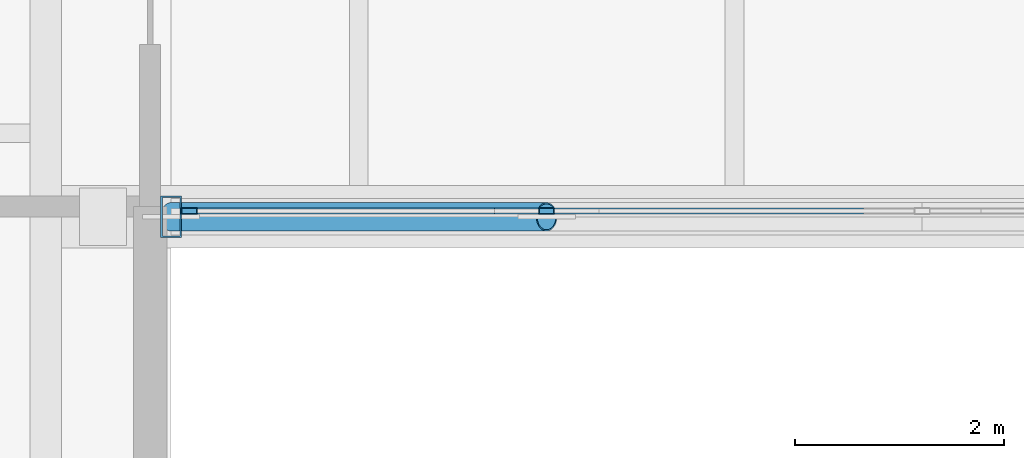
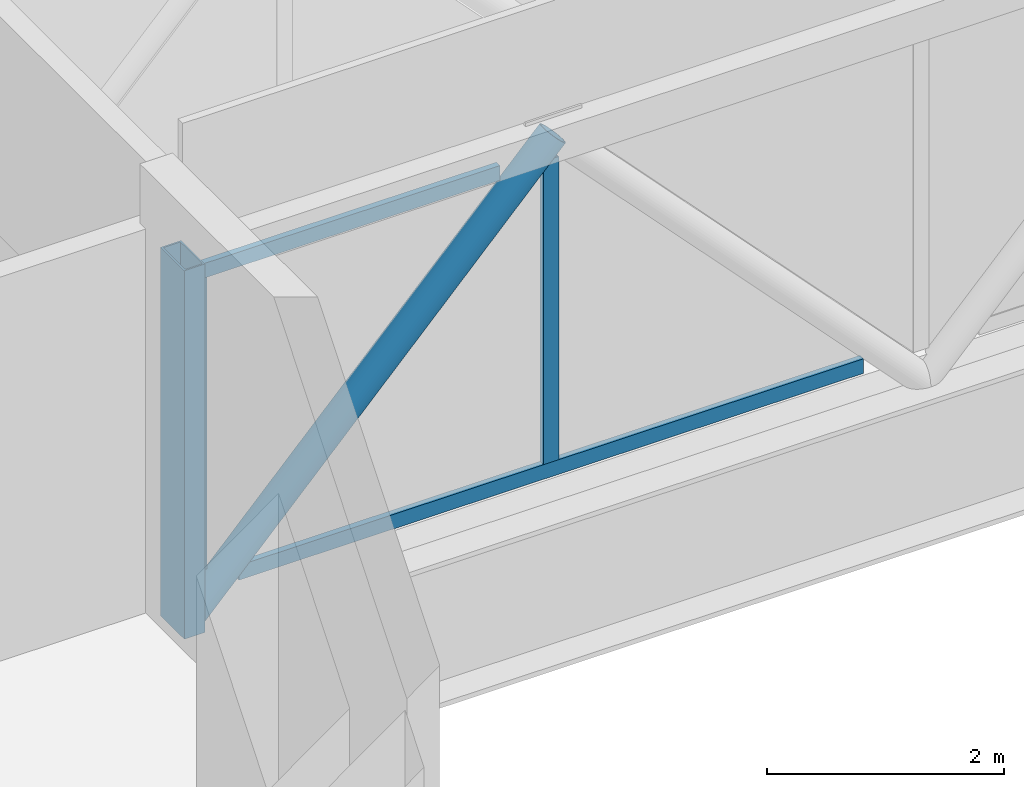
# One storey, part 2 of 17: 6 members, 2 elements without a shape of their own.
"""IFC4 building model written with IfcOpenShell, lengths in metres."""

from ifc_helpers import new_model, si_unit, direction, frame, origin, origin_2d, place, context, subcontext, project, spatial, hollow_rectangle, hollow_circle, extrude, material, material_profile, profile_set, type_object, element, aggregate, save


model = new_model("IFC4")

# Units and contexts
model_context = context("Model", 3, precision=1e-05, world=origin(), true_north=direction((0.0, 1.0)))
body_context = subcontext(model_context, "Body", "Model", "MODEL_VIEW")
ifc_project = project(units=[si_unit("LENGTHUNIT", "METRE"), si_unit("AREAUNIT", "SQUARE_METRE"), si_unit("VOLUMEUNIT", "CUBIC_METRE"), si_unit("PLANEANGLEUNIT", "RADIAN"), si_unit("MASSUNIT", "GRAM", prefix="KILO")], contexts=[model_context])

# Site, building, storey
site_placement = place(None, origin())
site = spatial("IfcSite", under=ifc_project, at=site_placement, CompositionType="ELEMENT")
building_placement = place(site_placement, origin())
building = spatial("IfcBuilding", under=site, at=building_placement, Name="Kuzgunbayir Cultural Tower", CompositionType="ELEMENT")
storey_placement = place(building_placement, frame((0.0, 0.0, 102.60009765625)))
storey = spatial("IfcBuildingStorey", under=building, at=storey_placement, Name="L29", CompositionType="ELEMENT", Elevation=102.60009765625)

# Curtain wall, member
ifc_material_1 = material(Name="Anodised Aluminium Framing", Category="aluminium")
curtain_wall_type = type_object("IfcCurtainWallType", Name="CW05-SKYBRIDGE", PredefinedType="NOTDEFINED", material=ifc_material_1)
curtain_wall_1_placement = place(storey_placement, origin())
curtain_wall_1 = element("IfcCurtainWall", 1, at=curtain_wall_1_placement, inside=storey, type_object=curtain_wall_type, Name="L29 Skybridge South Curtain Wall Run 1 Fitted Between Truss Members", PredefinedType="NOTDEFINED")
ifc_material_profile_1 = material_profile(ifc_material_1, hollow_rectangle(XDim=0.06005859375, YDim=0.14990234375, WallThickness=0.00390625, at=origin_2d()), Name="RHS 150x60x4")
ifc_profile_set_1 = profile_set([ifc_material_profile_1], Name="Anodised Aluminium Framing")
member_type_1 = type_object("IfcMemberType", Name="MEM-CW-MULLION-150", PredefinedType="MULLION", material=ifc_profile_set_1)
member_1_placement = place(storey_placement, frame((46.97509765625, 31.2548828125, 0.225830078125), z_axis=(0.0, 0.0, 1.0), x_axis=(0.0, 1.0, 0.0)))
member_1 = element("IfcMember", 2, at=member_1_placement, type_object=member_type_1, Name="CW05 mullion 1.1", PredefinedType="MULLION", context=body_context, shape_type="SweptSolid", body=[
    extrude(hollow_rectangle(XDim=0.06005859375, YDim=0.14990234375, WallThickness=0.00390625, at=origin_2d()), origin(), (0.0, 0.0, 1.0), 2.9990234375),
])

curtain_wall_2_placement = place(storey_placement, origin())
curtain_wall_2 = element("IfcCurtainWall", 3, at=curtain_wall_2_placement, inside=storey, type_object=curtain_wall_type, Name="L29 Skybridge South Curtain Wall Run 2 Fitted Between Truss Members", PredefinedType="NOTDEFINED")
member_2_placement = place(storey_placement, frame((50.39990234375, 31.2548828125, 0.14990234375), z_axis=(0.0, 0.0, 1.0), x_axis=(0.0, 1.0, 0.0)))
member_2 = element("IfcMember", 4, at=member_2_placement, type_object=member_type_1, Name="CW05 mullion 2.1", PredefinedType="MULLION", context=body_context, shape_type="SweptSolid", body=[
    extrude(hollow_rectangle(XDim=0.06005859375, YDim=0.14990234375, WallThickness=0.00390625, at=origin_2d()), origin(), (0.0, 0.0, 1.0), 3.117919921875),
])

# Member
ifc_material_profile_2 = material_profile(ifc_material_1, hollow_rectangle(XDim=0.06005859375, YDim=0.14990234375, WallThickness=0.00390625, at=origin_2d()), Name="RHS 150x60x4")
ifc_profile_set_2 = profile_set([ifc_material_profile_2], Name="Anodised Aluminium Framing")
member_type_2 = type_object("IfcMemberType", Name="MEM-CW-TRANSOM-150", PredefinedType="USERDEFINED", material=ifc_profile_set_2)
member_3_placement = place(storey_placement, frame((46.89990234375, 31.2548828125, 3.2998046875), z_axis=(1.0, 0.0, 0.0), x_axis=(0.0, 1.0, 0.0)))
member_3 = element("IfcMember", 5, at=member_3_placement, type_object=member_type_2, Name="CW05 transom 1.1", ObjectType="TRANSOM", PredefinedType="USERDEFINED", context=body_context, shape_type="SweptSolid", body=[
    extrude(hollow_rectangle(XDim=0.06005859375, YDim=0.14990234375, WallThickness=0.00390625, at=origin_2d()), origin(), (0.0, 0.0, 1.0), 2.9990234375),
])

aggregate(curtain_wall_1, [member_1, member_3])

member_4_placement = place(storey_placement, frame((47.363037109375, 31.2548828125, 0.074951171875), z_axis=(1.0, 0.0, 0.0), x_axis=(0.0, 1.0, 0.0)))
member_4 = element("IfcMember", 6, at=member_4_placement, type_object=member_type_2, Name="CW05 transom 2.1", ObjectType="TRANSOM", PredefinedType="USERDEFINED", context=body_context, shape_type="SweptSolid", body=[
    extrude(hollow_rectangle(XDim=0.06005859375, YDim=0.14990234375, WallThickness=0.00390625, at=origin_2d()), origin(), (0.0, 0.0, 1.0), 6.073974609375),
])

aggregate(curtain_wall_2, [member_2, member_4])

# Members
ifc_material_2 = material(Name="Steel S460M", Category="steel")
ifc_material_profile_3 = material_profile(ifc_material_2, hollow_circle(Radius=0.136474609375, WallThickness=0.012451171875, at=origin_2d()), Name="CHS 273x12.5")
ifc_profile_set_3 = profile_set([ifc_material_profile_3], Name="Steel S460M")
member_type_3 = type_object("IfcMemberType", Name="MEM-SBG-CHS273", PredefinedType="BRACE", material=ifc_profile_set_3)
member_5_placement = place(storey_placement, frame((46.800048828125, 31.199951171875, -0.239990234375), z_axis=(0.68870404184, 0.0, 0.725042579958), x_axis=(0.0, 1.0, 0.0)))
element("IfcMember", 7, at=member_5_placement, inside=storey, type_object=member_type_3, Name="L29 Skybridge Truss Diagonal S1", PredefinedType="BRACE", context=body_context, shape_type="SweptSolid", body=[
    extrude(hollow_circle(Radius=0.136474609375, WallThickness=0.012451171875, at=origin_2d()), origin(), (0.0, 0.0, 1.0), 5.22705078125),
])
ifc_material_profile_4 = material_profile(ifc_material_2, hollow_rectangle(XDim=0.199951171875, YDim=0.39990234375, WallThickness=0.01611328125, at=origin_2d()), Name="RHS 400x200x16")
ifc_profile_set_4 = profile_set([ifc_material_profile_4], Name="Steel S460M")
member_type_4 = type_object("IfcMemberType", Name="MEM-STR-RHS400", PredefinedType="STRUT", material=ifc_profile_set_4)
member_6_placement = place(storey_placement, frame((46.800048828125, 31.199951171875, -0.239990234375), z_axis=(0.0, 0.0, 1.0), x_axis=(1.0, 0.0, 0.0)))
element("IfcMember", 8, at=member_6_placement, inside=storey, type_object=member_type_4, Name="L29 Skybridge Truss End Post SW", PredefinedType="STRUT", context=body_context, shape_type="SweptSolid", body=[
    extrude(hollow_rectangle(XDim=0.199951171875, YDim=0.39990234375, WallThickness=0.01611328125, at=origin_2d()), origin(), (0.0, 0.0, 1.0), 3.789794921875),
])

save(model, "model.ifc")
